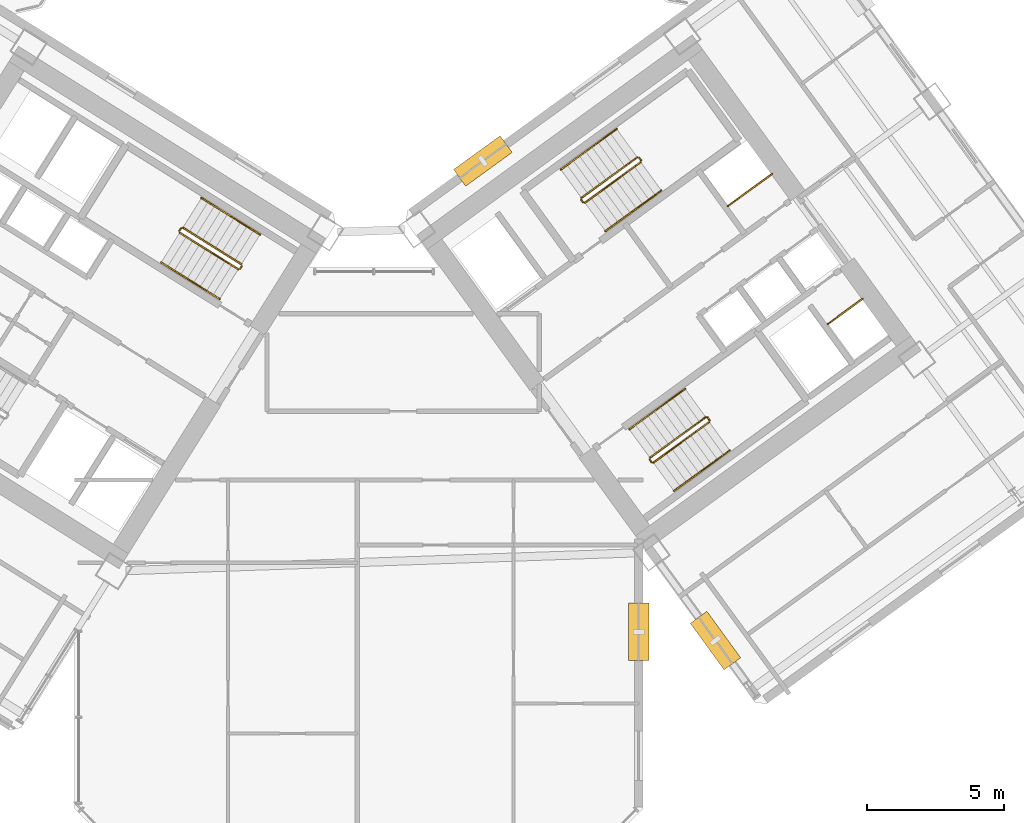
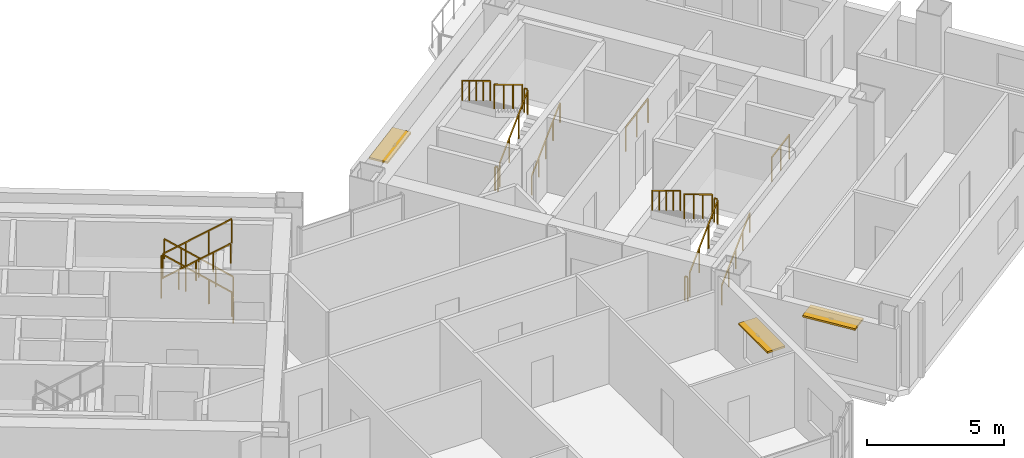
# One storey, part 24 of 25: 26 railings, 3 shading devices.
"""IFC4 building model written with IfcOpenShell, lengths in metres."""

from ifc_helpers import new_model, si_unit, direction, frame, origin, origin_2d, place, context, subcontext, project, spatial, rectangle, extrude, source, transform, mapped, material, layer, layer_set, type_object, element, save


model = new_model("IFC4")

# Units and contexts
model_context = context("Model", 3, precision=1e-05, world=origin(), true_north=direction((0.0, 1.0)))
body_context = subcontext(model_context, "Body", "Model", "MODEL_VIEW")
ifc_project = project(units=[si_unit("LENGTHUNIT", "METRE"), si_unit("AREAUNIT", "SQUARE_METRE"), si_unit("VOLUMEUNIT", "CUBIC_METRE"), si_unit("PLANEANGLEUNIT", "RADIAN"), si_unit("MASSUNIT", "GRAM", prefix="KILO")], contexts=[model_context])

# Site, building, storey
site_placement = place(None, origin())
site = spatial("IfcSite", under=ifc_project, at=site_placement, CompositionType="ELEMENT")
building_placement = place(site_placement, origin())
building = spatial("IfcBuilding", under=site, at=building_placement, Name="Tlacorven Tower", CompositionType="ELEMENT")
storey_placement = place(building_placement, frame((0.0, 0.0, 52.800048828125)))
storey = spatial("IfcBuildingStorey", under=building, at=storey_placement, Name="L13", CompositionType="ELEMENT", Elevation=52.800048828125)

# Railings
ifc_material_1 = material(Name="Aluminium and painted steel balustrade", Category="steel")
railing_type_1 = type_object("IfcRailingType", Name="RL-GRD-1100", PredefinedType="GUARDRAIL", material=ifc_material_1)
shared_shape_1 = source(origin(), body_context, "Body", "SweptSolid", [
    extrude(rectangle(XDim=0.048095703125, YDim=0.048095703125, at=origin_2d()), frame((0.0, 0.0, 1.076171875), z_axis=(0.808947177504, 0.587881334972, 0.0), x_axis=(-0.587881334972, 0.808947177504, 0.0)), (0.0, 0.0, 1.0), 2.0),
    extrude(rectangle(XDim=0.0419921875, YDim=0.0419921875, at=origin_2d()), origin(), (0.0, 0.0, 1.0), 1.052001953125),
    extrude(rectangle(XDim=0.0419921875, YDim=0.0419921875, at=origin_2d()), frame((0.80908203125, 0.587890625, 0.0)), (0.0, 0.0, 1.0), 1.052001953125),
    extrude(rectangle(XDim=0.0419921875, YDim=0.0419921875, at=origin_2d()), frame((1.617919921875, 1.17578125, 0.0)), (0.0, 0.0, 1.0), 1.052001953125),
])
railing_1_placement = place(storey_placement, frame((55.506103515625, 25.438232421875, 0.0)))
element("IfcRailing", 1, at=railing_1_placement, inside=storey, type_object=railing_type_1, Name="L13 Electrical Riser E Shaft Guard 1", PredefinedType="GUARDRAIL", context=body_context, shape_type="MappedRepresentation", body=[
    mapped(shared_shape_1, transform((0.0, 0.0, 0.0), scale=1.0)),
])
shared_shape_2 = source(origin(), body_context, "Body", "SweptSolid", [
    extrude(rectangle(XDim=0.048095703125, YDim=0.048095703125, at=origin_2d()), frame((0.0, 0.0, 1.076171875), z_axis=(0.809029975545, 0.58776738483, 0.0), x_axis=(-0.58776738483, 0.809029975545, 0.0)), (0.0, 0.0, 1.0), 1.580078125),
    extrude(rectangle(XDim=0.0419921875, YDim=0.0419921875, at=origin_2d()), origin(), (0.0, 0.0, 1.0), 1.052001953125),
    extrude(rectangle(XDim=0.0419921875, YDim=0.0419921875, at=origin_2d()), frame((0.63916015625, 0.46435546875, 0.0)), (0.0, 0.0, 1.0), 1.052001953125),
    extrude(rectangle(XDim=0.0419921875, YDim=0.0419921875, at=origin_2d()), frame((1.2783203125, 0.9287109375, 0.0)), (0.0, 0.0, 1.0), 1.052001953125),
])
railing_2_placement = place(storey_placement, frame((59.160888671875, 21.122314453125, 0.0)))
element("IfcRailing", 2, at=railing_2_placement, inside=storey, type_object=railing_type_1, Name="L13 Smoke Riser E Shaft Guard 1", PredefinedType="GUARDRAIL", context=body_context, shape_type="MappedRepresentation", body=[
    mapped(shared_shape_2, transform((0.0, 0.0, 0.0), scale=1.0)),
])

# Shading devices
ifc_material_2 = material(Name="Anodised bronze aluminium sunshade", Category="aluminium")
ifc_layer = layer(ifc_material_2, 0.080078125)
ifc_layer_set = layer_set([ifc_layer], Name="Anodised bronze aluminium sunshade")
shading_device_type = type_object("IfcShadingDeviceType", Name="SH-SUN-BRZ", PredefinedType="AWNING", material=ifc_layer_set)
shared_shape_3 = source(origin(), body_context, "Body", "SweptSolid", [
    extrude(rectangle(XDim=2.10009765625, YDim=0.75, at=origin_2d()), origin(), (0.0, 0.0, 1.0), 0.080078125),
])
for number, where, z_axis, x_axis, name in (
    (3, (46.5419921875, 27.083740234375, 2.369873046875), (0.0, 0.0, 1.0), (0.809017097486, 0.587785110372, 0.0), "L13 Solar Brise-Soleil Sunshade L13-04.1"),
    (4, (55.04931640625, 9.54736328125, 2.369873046875), (0.0, 0.0, 1.0), (-0.587785622053, 0.809016725728, 0.0), "L13 Solar Brise-Soleil Sunshade L13-07.1"),
    (5, (52.239990234375, 9.861572265625, 2.369873046875), (0.0, 0.0, 1.0), (0.0, -1.0, 0.0), "L13 Solar Brise-Soleil Sunshade L13-08.1"),
):
    element("IfcShadingDevice", number, at=place(storey_placement, frame(where, z_axis=z_axis, x_axis=x_axis)), inside=storey, type_object=shading_device_type, Name=name, PredefinedType="AWNING", context=body_context, shape_type="MappedRepresentation", body=[
        mapped(shared_shape_3, transform((0.0, 0.0, 0.0), scale=1.0)),
    ])

# Railings
shared_shape_4 = source(origin(), body_context, "Body", "SweptSolid", [
    extrude(rectangle(XDim=0.048095703125, YDim=0.048095703125, at=origin_2d()), frame((0.0, 0.0, 1.076171875), z_axis=(-0.713319727316, 0.445773895627, 0.540796265334), x_axis=(-0.529955395941, -0.84802551749, 0.0)), (0.0, 0.0, 1.0), 2.995849609375),
    extrude(rectangle(XDim=0.0419921875, YDim=0.0419921875, at=origin_2d()), origin(), (0.0, 0.0, 1.0), 1.052001953125),
    extrude(rectangle(XDim=0.0419921875, YDim=0.0419921875, at=origin_2d()), frame((-0.71240234375, 0.445068359375, 0.5400390625)), (0.0, 0.0, 1.0), 1.052001953125),
    extrude(rectangle(XDim=0.0419921875, YDim=0.0419921875, at=origin_2d()), frame((-1.424560546875, 0.890380859375, 1.080078125)), (0.0, 0.0, 1.0), 1.052001953125),
    extrude(rectangle(XDim=0.0419921875, YDim=0.0419921875, at=origin_2d()), frame((-2.136962890625, 1.33544921875, 1.6201171875)), (0.0, 0.0, 1.0), 1.052001953125),
])
railing_3_placement = place(storey_placement, frame((37.712158203125, 23.3095703125, 0.179931640625)))
element("IfcRailing", 6, at=railing_3_placement, inside=storey, type_object=railing_type_1, Name="L13 ST-W2 stair guard 1", PredefinedType="GUARDRAIL", context=body_context, shape_type="MappedRepresentation", body=[
    mapped(shared_shape_4, transform((0.0, 0.0, 0.0), scale=1.0)),
])
shared_shape_5 = source(origin(), body_context, "Body", "SweptSolid", [
    extrude(rectangle(XDim=0.048095703125, YDim=0.048095703125, at=origin_2d()), frame((0.0, 0.0, 1.076171875), z_axis=(-0.530546985787, -0.847655529016, 0.0), x_axis=(0.847655529016, -0.530546985787, 0.0)), (0.0, 0.0, 1.0), 0.1201171875),
    extrude(rectangle(XDim=0.0419921875, YDim=0.0419921875, at=origin_2d()), origin(), (0.0, 0.0, 1.0), 1.052001953125),
    extrude(rectangle(XDim=0.0419921875, YDim=0.0419921875, at=origin_2d()), frame((-0.063720703125, -0.101806640625, 0.0)), (0.0, 0.0, 1.0), 1.052001953125),
])
railing_4_placement = place(storey_placement, frame((37.728271484375, 23.24072265625, 0.0)))
element("IfcRailing", 7, at=railing_4_placement, inside=storey, type_object=railing_type_1, Name="L13 ST-W2 stair guard 4", PredefinedType="GUARDRAIL", context=body_context, shape_type="MappedRepresentation", body=[
    mapped(shared_shape_5, transform((0.0, 0.0, 0.0), scale=1.0)),
])
railing_type_2 = type_object("IfcRailingType", Name="RL-HND-0900", PredefinedType="HANDRAIL", material=ifc_material_1)
shared_shape_6 = source(origin(), body_context, "Body", "SweptSolid", [
    extrude(rectangle(XDim=0.048095703125, YDim=0.048095703125, at=origin_2d()), frame((0.0, 0.0, 0.8759765625), z_axis=(-0.713359751793, 0.4457479829, 0.540764828981), x_axis=(-0.529911857636, -0.848052724267, 0.0)), (0.0, 0.0, 1.0), 1.498046875),
    extrude(rectangle(XDim=0.0419921875, YDim=0.0419921875, at=origin_2d()), origin(), (0.0, 0.0, 1.0), 0.851806640625),
    extrude(rectangle(XDim=0.0419921875, YDim=0.0419921875, at=origin_2d()), frame((-0.5341796875, 0.333984375, 0.405029296875)), (0.0, 0.0, 1.0), 0.851806640625),
    extrude(rectangle(XDim=0.0419921875, YDim=0.0419921875, at=origin_2d()), frame((-1.068603515625, 0.667724609375, 0.81005859375)), (0.0, 0.0, 1.0), 0.851806640625),
])
for number, where, name in (
    (8, (38.390625, 24.39501953125, 0.179931640625), "L13 ST-W2 stair handrail 1"),
    (9, (37.322021484375, 25.062744140625, 0.989990234375), "L13 ST-W2 stair handrail 2"),
):
    element("IfcRailing", number, at=place(storey_placement, frame(where)), inside=storey, type_object=railing_type_2, Name=name, PredefinedType="HANDRAIL", context=body_context, shape_type="MappedRepresentation", body=[
        mapped(shared_shape_6, transform((0.0, 0.0, 0.0), scale=1.0)),
    ])
shared_shape_7 = source(origin(), body_context, "Body", "SweptSolid", [
    extrude(rectangle(XDim=0.048095703125, YDim=0.048095703125, at=origin_2d()), frame((0.0, 0.0, 0.8759765625), z_axis=(0.713359751793, -0.4457479829, 0.540764828981), x_axis=(0.529911857636, 0.848052724267, 0.0)), (0.0, 0.0, 1.0), 1.498046875),
    extrude(rectangle(XDim=0.0419921875, YDim=0.0419921875, at=origin_2d()), origin(), (0.0, 0.0, 1.0), 0.851806640625),
    extrude(rectangle(XDim=0.0419921875, YDim=0.0419921875, at=origin_2d()), frame((0.5341796875, -0.333984375, 0.405029296875)), (0.0, 0.0, 1.0), 0.851806640625),
    extrude(rectangle(XDim=0.0419921875, YDim=0.0419921875, at=origin_2d()), frame((1.068603515625, -0.667724609375, 0.81005859375)), (0.0, 0.0, 1.0), 0.851806640625),
])
railing_5_placement = place(storey_placement, frame((34.7802734375, 23.372802734375, 1.97998046875)))
element("IfcRailing", 10, at=railing_5_placement, inside=storey, type_object=railing_type_2, Name="L13 ST-W2 stair handrail 3", PredefinedType="HANDRAIL", context=body_context, shape_type="MappedRepresentation", body=[
    mapped(shared_shape_7, transform((0.0, 0.0, 0.0), scale=1.0)),
])
shared_shape_8 = source(origin(), body_context, "Body", "SweptSolid", [
    extrude(rectangle(XDim=0.048095703125, YDim=0.048095703125, at=origin_2d()), frame((0.0, 0.0, 0.8759765625), z_axis=(0.713422621445, -0.445787267455, 0.540649494022), x_axis=(0.529911857636, 0.848052724267, 0.0)), (0.0, 0.0, 1.0), 1.497802734375),
    extrude(rectangle(XDim=0.0419921875, YDim=0.0419921875, at=origin_2d()), origin(), (0.0, 0.0, 1.0), 0.851806640625),
    extrude(rectangle(XDim=0.0419921875, YDim=0.0419921875, at=origin_2d()), frame((0.5341796875, -0.333984375, 0.40478515625)), (0.0, 0.0, 1.0), 0.851806640625),
    extrude(rectangle(XDim=0.0419921875, YDim=0.0419921875, at=origin_2d()), frame((1.068603515625, -0.667724609375, 0.809814453125)), (0.0, 0.0, 1.0), 0.851806640625),
])
railing_6_placement = place(storey_placement, frame((35.848876953125, 22.705078125, 2.7900390625)))
element("IfcRailing", 11, at=railing_6_placement, inside=storey, type_object=railing_type_2, Name="L13 ST-W2 stair handrail 4", PredefinedType="HANDRAIL", context=body_context, shape_type="MappedRepresentation", body=[
    mapped(shared_shape_8, transform((0.0, 0.0, 0.0), scale=1.0)),
])
shared_shape_9 = source(origin(), body_context, "Body", "SweptSolid", [
    extrude(rectangle(XDim=0.048095703125, YDim=0.048095703125, at=origin_2d()), frame((0.0, 0.0, 1.076171875), z_axis=(-0.531462422766, -0.847081869236, 0.0), x_axis=(0.847081869236, -0.531462422766, 0.0)), (0.0, 0.0, 1.0), 0.119873046875),
    extrude(rectangle(XDim=0.0419921875, YDim=0.0419921875, at=origin_2d()), origin(), (0.0, 0.0, 1.0), 1.052001953125),
    extrude(rectangle(XDim=0.0419921875, YDim=0.0419921875, at=origin_2d()), frame((-0.063720703125, -0.1015625, 0.0)), (0.0, 0.0, 1.0), 1.052001953125),
])
railing_7_placement = place(storey_placement, frame((35.50634765625, 24.62890625, 1.800048828125)))
element("IfcRailing", 12, at=railing_7_placement, inside=storey, type_object=railing_type_1, Name="L13 ST-W2 stair guard 2", PredefinedType="GUARDRAIL", context=body_context, shape_type="MappedRepresentation", body=[
    mapped(shared_shape_9, transform((0.0, 0.0, 0.0), scale=1.0)),
])
shared_shape_10 = source(origin(), body_context, "Body", "SweptSolid", [
    extrude(rectangle(XDim=0.048095703125, YDim=0.048095703125, at=origin_2d()), frame((0.0, 0.0, 1.076171875), z_axis=(0.713417101326, -0.445702322042, 0.540726806865), x_axis=(0.52984217967, 0.848096259066, 0.0)), (0.0, 0.0, 1.0), 2.995849609375),
    extrude(rectangle(XDim=0.0419921875, YDim=0.0419921875, at=origin_2d()), origin(), (0.0, 0.0, 1.0), 1.052001953125),
    extrude(rectangle(XDim=0.0419921875, YDim=0.0419921875, at=origin_2d()), frame((0.71240234375, -0.445068359375, 0.5400390625)), (0.0, 0.0, 1.0), 1.052001953125),
    extrude(rectangle(XDim=0.0419921875, YDim=0.0419921875, at=origin_2d()), frame((1.4248046875, -0.89013671875, 1.079833984375)), (0.0, 0.0, 1.0), 1.052001953125),
    extrude(rectangle(XDim=0.0419921875, YDim=0.0419921875, at=origin_2d()), frame((2.13720703125, -1.335205078125, 1.619873046875)), (0.0, 0.0, 1.0), 1.052001953125),
])
railing_8_placement = place(storey_placement, frame((35.45849609375, 24.458251953125, 1.97998046875)))
element("IfcRailing", 13, at=railing_8_placement, inside=storey, type_object=railing_type_1, Name="L13 ST-W2 stair guard 3", PredefinedType="GUARDRAIL", context=body_context, shape_type="MappedRepresentation", body=[
    mapped(shared_shape_10, transform((0.0, 0.0, 0.0), scale=1.0)),
])
shared_shape_11 = source(origin(), body_context, "Body", "SweptSolid", [
    extrude(rectangle(XDim=0.048095703125, YDim=0.048095703125, at=origin_2d()), frame((0.0, 0.0, 1.076171875), z_axis=(-0.587567097037, 0.809175448515, 0.0), x_axis=(-0.809175448515, -0.587567097037, 0.0)), (0.0, 0.0, 1.0), 0.1201171875),
    extrude(rectangle(XDim=0.0419921875, YDim=0.0419921875, at=origin_2d()), origin(), (0.0, 0.0, 1.0), 1.052001953125),
    extrude(rectangle(XDim=0.0419921875, YDim=0.0419921875, at=origin_2d()), frame((-0.070556640625, 0.09716796875, 0.0)), (0.0, 0.0, 1.0), 1.052001953125),
])
for number, where, name in (
    (14, (54.8310546875, 17.605712890625, 1.800048828125), "L13 ST-E2 stair guard 2"),
    (15, (52.71142578125, 16.065673828125, 0.0), "L13 ST-E2 stair guard 4"),
):
    element("IfcRailing", number, at=place(storey_placement, frame(where)), inside=storey, type_object=railing_type_1, Name=name, PredefinedType="GUARDRAIL", context=body_context, shape_type="MappedRepresentation", body=[
        mapped(shared_shape_11, transform((0.0, 0.0, 0.0), scale=1.0)),
    ])
shared_shape_12 = source(origin(), body_context, "Body", "SweptSolid", [
    extrude(rectangle(XDim=0.048095703125, YDim=0.048095703125, at=origin_2d()), frame((0.0, 0.0, 1.076171875), z_axis=(-0.587201422542, 0.809440849824, 0.0), x_axis=(-0.809440849824, -0.587201422542, 0.0)), (0.0, 0.0, 1.0), 0.11962890625),
    extrude(rectangle(XDim=0.0419921875, YDim=0.0419921875, at=origin_2d()), origin(), (0.0, 0.0, 1.0), 1.052001953125),
    extrude(rectangle(XDim=0.0419921875, YDim=0.0419921875, at=origin_2d()), frame((-0.0703125, 0.096923828125, 0.0)), (0.0, 0.0, 1.0), 1.052001953125),
])
for number, where, name in (
    (16, (52.326904296875, 27.10888671875, 1.800048828125), "L13 ST-E1 stair guard 2"),
    (17, (50.207275390625, 25.56884765625, 0.0), "L13 ST-E1 stair guard 4"),
):
    element("IfcRailing", number, at=place(storey_placement, frame(where)), inside=storey, type_object=railing_type_1, Name=name, PredefinedType="GUARDRAIL", context=body_context, shape_type="MappedRepresentation", body=[
        mapped(shared_shape_12, transform((0.0, 0.0, 0.0), scale=1.0)),
    ])
shared_shape_13 = source(origin(), body_context, "Body", "SweptSolid", [
    extrude(rectangle(XDim=0.048095703125, YDim=0.048095703125, at=origin_2d()), frame((0.0, 0.0, 1.076171875), z_axis=(0.680488636597, 0.494434078831, 0.540805100894), x_axis=(-0.5878087079, 0.808999952359, 0.0)), (0.0, 0.0, 1.0), 2.995849609375),
    extrude(rectangle(XDim=0.0419921875, YDim=0.0419921875, at=origin_2d()), origin(), (0.0, 0.0, 1.0), 1.052001953125),
    extrude(rectangle(XDim=0.0419921875, YDim=0.0419921875, at=origin_2d()), frame((0.679443359375, 0.49365234375, 0.5400390625)), (0.0, 0.0, 1.0), 1.052001953125),
    extrude(rectangle(XDim=0.0419921875, YDim=0.0419921875, at=origin_2d()), frame((1.359130859375, 0.987548828125, 1.080078125)), (0.0, 0.0, 1.0), 1.052001953125),
    extrude(rectangle(XDim=0.0419921875, YDim=0.0419921875, at=origin_2d()), frame((2.03857421875, 1.481201171875, 1.6201171875)), (0.0, 0.0, 1.0), 1.052001953125),
])
railing_9_placement = place(storey_placement, frame((50.27734375, 25.557861328125, 0.179931640625)))
element("IfcRailing", 18, at=railing_9_placement, inside=storey, type_object=railing_type_1, Name="L13 ST-E1 stair guard 1", PredefinedType="GUARDRAIL", context=body_context, shape_type="MappedRepresentation", body=[
    mapped(shared_shape_13, transform((0.0, 0.0, 0.0), scale=1.0)),
])
shared_shape_14 = source(origin(), body_context, "Body", "SweptSolid", [
    extrude(rectangle(XDim=0.048095703125, YDim=0.048095703125, at=origin_2d()), frame((0.0, 0.0, 0.8759765625), z_axis=(0.680516055757, 0.494372502302, 0.540826891737), x_axis=(-0.587745292299, 0.809046025502, 0.0)), (0.0, 0.0, 1.0), 1.497802734375),
    extrude(rectangle(XDim=0.0419921875, YDim=0.0419921875, at=origin_2d()), origin(), (0.0, 0.0, 1.0), 0.851806640625),
    extrude(rectangle(XDim=0.0419921875, YDim=0.0419921875, at=origin_2d()), frame((0.509765625, 0.3701171875, 0.405029296875)), (0.0, 0.0, 1.0), 0.851806640625),
    extrude(rectangle(XDim=0.0419921875, YDim=0.0419921875, at=origin_2d()), frame((1.019287109375, 0.740478515625, 0.81005859375)), (0.0, 0.0, 1.0), 0.851806640625),
])
for number, where, name in (
    (19, (51.029541015625, 24.522216796875, 0.179931640625), "L13 ST-E1 stair handrail 1"),
    (20, (54.552978515625, 15.759765625, 0.989990234375), "L13 ST-E2 stair handrail 2"),
):
    element("IfcRailing", number, at=place(storey_placement, frame(where)), inside=storey, type_object=railing_type_2, Name=name, PredefinedType="HANDRAIL", context=body_context, shape_type="MappedRepresentation", body=[
        mapped(shared_shape_14, transform((0.0, 0.0, 0.0), scale=1.0)),
    ])
shared_shape_15 = source(origin(), body_context, "Body", "SweptSolid", [
    extrude(rectangle(XDim=0.048095703125, YDim=0.048095703125, at=origin_2d()), frame((0.0, 0.0, 0.8759765625), z_axis=(0.680548719995, 0.49444080854, 0.540723336433), x_axis=(-0.587779977844, 0.80902082646, 0.0)), (0.0, 0.0, 1.0), 1.498046875),
    extrude(rectangle(XDim=0.0419921875, YDim=0.0419921875, at=origin_2d()), origin(), (0.0, 0.0, 1.0), 0.851806640625),
    extrude(rectangle(XDim=0.0419921875, YDim=0.0419921875, at=origin_2d()), frame((0.509765625, 0.370361328125, 0.405029296875)), (0.0, 0.0, 1.0), 0.851806640625),
    extrude(rectangle(XDim=0.0419921875, YDim=0.0419921875, at=origin_2d()), frame((1.01953125, 0.74072265625, 0.81005859375)), (0.0, 0.0, 1.0), 0.851806640625),
])
railing_10_placement = place(storey_placement, frame((52.048828125, 25.2626953125, 0.989990234375)))
element("IfcRailing", 21, at=railing_10_placement, inside=storey, type_object=railing_type_2, Name="L13 ST-E1 stair handrail 2", PredefinedType="HANDRAIL", context=body_context, shape_type="MappedRepresentation", body=[
    mapped(shared_shape_15, transform((0.0, 0.0, 0.0), scale=1.0)),
])
shared_shape_16 = source(origin(), body_context, "Body", "SweptSolid", [
    extrude(rectangle(XDim=0.048095703125, YDim=0.048095703125, at=origin_2d()), frame((0.0, 0.0, 0.8759765625), z_axis=(-0.680603554404, -0.494317667746, 0.540766904577), x_axis=(0.587653156371, -0.809112951205, 0.0)), (0.0, 0.0, 1.0), 1.498046875),
    extrude(rectangle(XDim=0.0419921875, YDim=0.0419921875, at=origin_2d()), origin(), (0.0, 0.0, 1.0), 0.851806640625),
    extrude(rectangle(XDim=0.0419921875, YDim=0.0419921875, at=origin_2d()), frame((-0.509765625, -0.3701171875, 0.405029296875)), (0.0, 0.0, 1.0), 0.851806640625),
    extrude(rectangle(XDim=0.0419921875, YDim=0.0419921875, at=origin_2d()), frame((-1.01953125, -0.740478515625, 0.81005859375)), (0.0, 0.0, 1.0), 0.851806640625),
])
railing_11_placement = place(storey_placement, frame((51.434326171875, 28.25244140625, 1.97998046875)))
element("IfcRailing", 22, at=railing_11_placement, inside=storey, type_object=railing_type_2, Name="L13 ST-E1 stair handrail 3", PredefinedType="HANDRAIL", context=body_context, shape_type="MappedRepresentation", body=[
    mapped(shared_shape_16, transform((0.0, 0.0, 0.0), scale=1.0)),
])
shared_shape_17 = source(origin(), body_context, "Body", "SweptSolid", [
    extrude(rectangle(XDim=0.048095703125, YDim=0.048095703125, at=origin_2d()), frame((0.0, 0.0, 1.076171875), z_axis=(-0.680518627673, -0.494455869951, 0.540747436481), x_axis=(0.5878087079, -0.808999952359, 0.0)), (0.0, 0.0, 1.0), 2.99560546875),
    extrude(rectangle(XDim=0.0419921875, YDim=0.0419921875, at=origin_2d()), origin(), (0.0, 0.0, 1.0), 1.052001953125),
    extrude(rectangle(XDim=0.0419921875, YDim=0.0419921875, at=origin_2d()), frame((-0.679443359375, -0.49365234375, 0.5400390625)), (0.0, 0.0, 1.0), 1.052001953125),
    extrude(rectangle(XDim=0.0419921875, YDim=0.0419921875, at=origin_2d()), frame((-1.359130859375, -0.987548828125, 1.079833984375)), (0.0, 0.0, 1.0), 1.052001953125),
    extrude(rectangle(XDim=0.0419921875, YDim=0.0419921875, at=origin_2d()), frame((-2.03857421875, -1.481201171875, 1.619873046875)), (0.0, 0.0, 1.0), 1.052001953125),
])
railing_12_placement = place(storey_placement, frame((52.1865234375, 27.217041015625, 1.97998046875)))
element("IfcRailing", 23, at=railing_12_placement, inside=storey, type_object=railing_type_1, Name="L13 ST-E1 stair guard 3", PredefinedType="GUARDRAIL", context=body_context, shape_type="MappedRepresentation", body=[
    mapped(shared_shape_17, transform((0.0, 0.0, 0.0), scale=1.0)),
])
shared_shape_18 = source(origin(), body_context, "Body", "SweptSolid", [
    extrude(rectangle(XDim=0.048095703125, YDim=0.048095703125, at=origin_2d()), frame((0.0, 0.0, 0.8759765625), z_axis=(-0.680521190579, -0.494539231669, 0.540667973449), x_axis=(0.587872112667, -0.808953879494, 0.0)), (0.0, 0.0, 1.0), 1.497802734375),
    extrude(rectangle(XDim=0.0419921875, YDim=0.0419921875, at=origin_2d()), origin(), (0.0, 0.0, 1.0), 0.851806640625),
    extrude(rectangle(XDim=0.0419921875, YDim=0.0419921875, at=origin_2d()), frame((-0.509765625, -0.370361328125, 0.40478515625)), (0.0, 0.0, 1.0), 0.851806640625),
    extrude(rectangle(XDim=0.0419921875, YDim=0.0419921875, at=origin_2d()), frame((-1.019287109375, -0.74072265625, 0.809814453125)), (0.0, 0.0, 1.0), 0.851806640625),
])
for number, where, name in (
    (24, (50.414794921875, 27.511962890625, 2.7900390625), "L13 ST-E1 stair handrail 4"),
    (25, (52.9189453125, 18.0087890625, 2.7900390625), "L13 ST-E2 stair handrail 4"),
):
    element("IfcRailing", number, at=place(storey_placement, frame(where)), inside=storey, type_object=railing_type_2, Name=name, PredefinedType="HANDRAIL", context=body_context, shape_type="MappedRepresentation", body=[
        mapped(shared_shape_18, transform((0.0, 0.0, 0.0), scale=1.0)),
    ])
shared_shape_19 = source(origin(), body_context, "Body", "SweptSolid", [
    extrude(rectangle(XDim=0.048095703125, YDim=0.048095703125, at=origin_2d()), frame((0.0, 0.0, 1.076171875), z_axis=(0.680532390839, 0.494406659708, 0.54077511024), x_axis=(-0.587762637553, 0.809033424462, 0.0)), (0.0, 0.0, 1.0), 2.995849609375),
    extrude(rectangle(XDim=0.0419921875, YDim=0.0419921875, at=origin_2d()), origin(), (0.0, 0.0, 1.0), 1.052001953125),
    extrude(rectangle(XDim=0.0419921875, YDim=0.0419921875, at=origin_2d()), frame((0.6796875, 0.49365234375, 0.5400390625)), (0.0, 0.0, 1.0), 1.052001953125),
    extrude(rectangle(XDim=0.0419921875, YDim=0.0419921875, at=origin_2d()), frame((1.359130859375, 0.987548828125, 1.080078125)), (0.0, 0.0, 1.0), 1.052001953125),
    extrude(rectangle(XDim=0.0419921875, YDim=0.0419921875, at=origin_2d()), frame((2.038818359375, 1.481201171875, 1.6201171875)), (0.0, 0.0, 1.0), 1.052001953125),
])
railing_13_placement = place(storey_placement, frame((52.78125, 16.0546875, 0.179931640625)))
element("IfcRailing", 26, at=railing_13_placement, inside=storey, type_object=railing_type_1, Name="L13 ST-E2 stair guard 1", PredefinedType="GUARDRAIL", context=body_context, shape_type="MappedRepresentation", body=[
    mapped(shared_shape_19, transform((0.0, 0.0, 0.0), scale=1.0)),
])
shared_shape_20 = source(origin(), body_context, "Body", "SweptSolid", [
    extrude(rectangle(XDim=0.048095703125, YDim=0.048095703125, at=origin_2d()), frame((0.0, 0.0, 0.8759765625), z_axis=(0.680461216233, 0.494495647917, 0.540783309093), x_axis=(-0.587872112667, 0.808953879494, 0.0)), (0.0, 0.0, 1.0), 1.498046875),
    extrude(rectangle(XDim=0.0419921875, YDim=0.0419921875, at=origin_2d()), origin(), (0.0, 0.0, 1.0), 0.851806640625),
    extrude(rectangle(XDim=0.0419921875, YDim=0.0419921875, at=origin_2d()), frame((0.509765625, 0.370361328125, 0.405029296875)), (0.0, 0.0, 1.0), 0.851806640625),
    extrude(rectangle(XDim=0.0419921875, YDim=0.0419921875, at=origin_2d()), frame((1.019287109375, 0.74072265625, 0.81005859375)), (0.0, 0.0, 1.0), 0.851806640625),
])
railing_14_placement = place(storey_placement, frame((53.53369140625, 15.01904296875, 0.179931640625)))
element("IfcRailing", 27, at=railing_14_placement, inside=storey, type_object=railing_type_2, Name="L13 ST-E2 stair handrail 1", PredefinedType="HANDRAIL", context=body_context, shape_type="MappedRepresentation", body=[
    mapped(shared_shape_20, transform((0.0, 0.0, 0.0), scale=1.0)),
])
shared_shape_21 = source(origin(), body_context, "Body", "SweptSolid", [
    extrude(rectangle(XDim=0.048095703125, YDim=0.048095703125, at=origin_2d()), frame((0.0, 0.0, 0.8759765625), z_axis=(-0.680516055757, -0.494372502302, 0.540826891737), x_axis=(0.587745292299, -0.809046025502, 0.0)), (0.0, 0.0, 1.0), 1.497802734375),
    extrude(rectangle(XDim=0.0419921875, YDim=0.0419921875, at=origin_2d()), origin(), (0.0, 0.0, 1.0), 0.851806640625),
    extrude(rectangle(XDim=0.0419921875, YDim=0.0419921875, at=origin_2d()), frame((-0.509765625, -0.3701171875, 0.405029296875)), (0.0, 0.0, 1.0), 0.851806640625),
    extrude(rectangle(XDim=0.0419921875, YDim=0.0419921875, at=origin_2d()), frame((-1.019287109375, -0.740478515625, 0.81005859375)), (0.0, 0.0, 1.0), 0.851806640625),
])
railing_15_placement = place(storey_placement, frame((53.938232421875, 18.749267578125, 1.97998046875)))
element("IfcRailing", 28, at=railing_15_placement, inside=storey, type_object=railing_type_2, Name="L13 ST-E2 stair handrail 3", PredefinedType="HANDRAIL", context=body_context, shape_type="MappedRepresentation", body=[
    mapped(shared_shape_21, transform((0.0, 0.0, 0.0), scale=1.0)),
])
shared_shape_22 = source(origin(), body_context, "Body", "SweptSolid", [
    extrude(rectangle(XDim=0.048095703125, YDim=0.048095703125, at=origin_2d()), frame((0.0, 0.0, 1.076171875), z_axis=(-0.680562380517, -0.494428447203, 0.540717446381), x_axis=(0.587762637553, -0.809033424462, 0.0)), (0.0, 0.0, 1.0), 2.995849609375),
    extrude(rectangle(XDim=0.0419921875, YDim=0.0419921875, at=origin_2d()), origin(), (0.0, 0.0, 1.0), 1.052001953125),
    extrude(rectangle(XDim=0.0419921875, YDim=0.0419921875, at=origin_2d()), frame((-0.6796875, -0.49365234375, 0.5400390625)), (0.0, 0.0, 1.0), 1.052001953125),
    extrude(rectangle(XDim=0.0419921875, YDim=0.0419921875, at=origin_2d()), frame((-1.359130859375, -0.987548828125, 1.079833984375)), (0.0, 0.0, 1.0), 1.052001953125),
    extrude(rectangle(XDim=0.0419921875, YDim=0.0419921875, at=origin_2d()), frame((-2.038818359375, -1.481201171875, 1.619873046875)), (0.0, 0.0, 1.0), 1.052001953125),
])
railing_16_placement = place(storey_placement, frame((54.690673828125, 17.7138671875, 1.97998046875)))
element("IfcRailing", 29, at=railing_16_placement, inside=storey, type_object=railing_type_1, Name="L13 ST-E2 stair guard 3", PredefinedType="GUARDRAIL", context=body_context, shape_type="MappedRepresentation", body=[
    mapped(shared_shape_22, transform((0.0, 0.0, 0.0), scale=1.0)),
])

save(model, "model.ifc")
